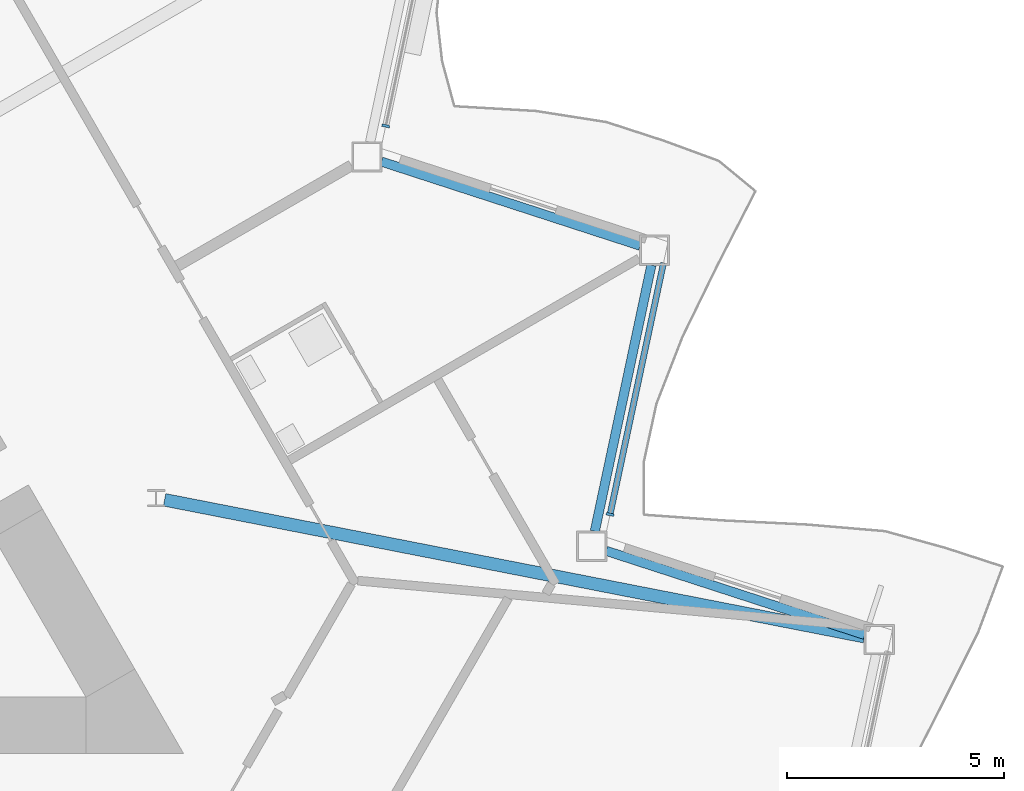
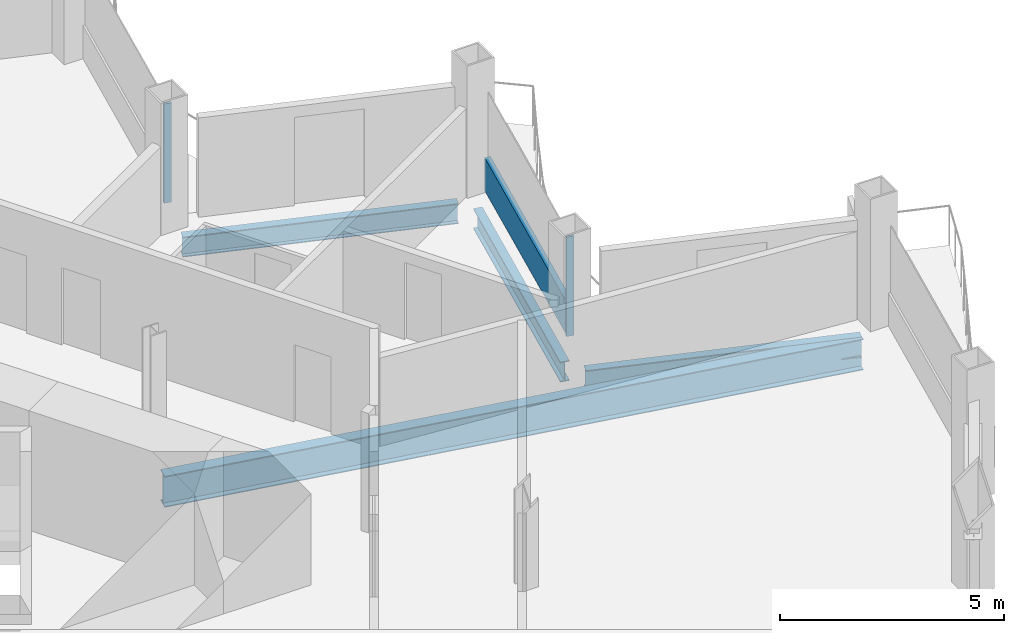
# One storey, part 7 of 23: 4 beams, 3 members, 2 elements without a shape of their own.
"""IFC4 building model written with IfcOpenShell, lengths in metres."""

from ifc_helpers import new_model, si_unit, direction, frame, origin, origin_2d, place, context, subcontext, project, spatial, rectangle, i_section, extrude, material, layer, layer_set, material_profile, profile_set, type_object, element, aggregate, save


model = new_model("IFC4")

# Units and contexts
model_context = context("Model", 3, precision=1e-05, world=origin(), true_north=direction((0.0, 1.0)))
body_context = subcontext(model_context, "Body", "Model", "MODEL_VIEW")
ifc_project = project(units=[si_unit("LENGTHUNIT", "METRE"), si_unit("AREAUNIT", "SQUARE_METRE"), si_unit("VOLUMEUNIT", "CUBIC_METRE"), si_unit("PLANEANGLEUNIT", "RADIAN"), si_unit("MASSUNIT", "GRAM", prefix="KILO")], contexts=[model_context])

# Site, building, storey
site_placement = place(None, origin())
site = spatial("IfcSite", under=ifc_project, at=site_placement, CompositionType="ELEMENT")
building_placement = place(site_placement, origin())
building = spatial("IfcBuilding", under=site, at=building_placement, Name="Cormorant Prow Tower", CompositionType="ELEMENT")
storey_placement = place(building_placement, frame((0.0, 0.0, 259.800048828125)))
storey = spatial("IfcBuildingStorey", under=building, at=storey_placement, Name="L58", CompositionType="ELEMENT", Elevation=259.800048828125)

# Curtain wall, member
ifc_material_1 = material(Name="Aluminium 6063-T6", Category="aluminium")
ifc_layer = layer(ifc_material_1, 0.179931640625)
ifc_layer_set = layer_set([ifc_layer], Name="Aluminium 6063-T6")
curtain_wall_type = type_object("IfcCurtainWallType", Name="Hotel unitised curtain wall 180", PredefinedType="NOTDEFINED", material=ifc_layer_set)
curtain_wall_1_placement = place(storey_placement, origin())
curtain_wall_1 = element("IfcCurtainWall", 1, at=curtain_wall_1_placement, inside=storey, type_object=curtain_wall_type, Name="Hotel curtain wall ENE02", PredefinedType="NOTDEFINED")
ifc_material_2 = material(Name="Aluminium 6063-T6", Category="aluminium")
ifc_material_profile_1 = material_profile(ifc_material_2, rectangle(XDim=0.179931640625, YDim=0.06005859375, at=origin_2d()), Name="Hotel mullion 60x180")
ifc_profile_set_1 = profile_set([ifc_material_profile_1], Name="Aluminium 6063-T6")
member_type_1 = type_object("IfcMemberType", Name="Hotel mullion 60x180", PredefinedType="MULLION", material=ifc_profile_set_1)
member_1_placement = place(storey_placement, frame((24.84814453125, -3.140625, 0.0), z_axis=(0.0, 0.0, 1.0), x_axis=(-0.978147601216, 0.207911688547, 0.0)))
member_1 = element("IfcMember", 2, at=member_1_placement, type_object=member_type_1, Name="Hotel mullion ENE02", PredefinedType="MULLION", context=body_context, shape_type="SweptSolid", body=[
    extrude(rectangle(XDim=0.179931640625, YDim=0.06005859375, at=origin_2d()), origin(), (0.0, 0.0, 1.0), 2.700927734375),
])

curtain_wall_2_placement = place(storey_placement, origin())
curtain_wall_2 = element("IfcCurtainWall", 3, at=curtain_wall_2_placement, inside=storey, type_object=curtain_wall_type, Name="Hotel curtain wall ENE04", PredefinedType="NOTDEFINED")
member_2_placement = place(storey_placement, frame((19.668701171875, 5.83056640625, 0.0), z_axis=(0.0, 0.0, 1.0), x_axis=(-0.978147572038, 0.207911825822, 0.0)))
member_2 = element("IfcMember", 4, at=member_2_placement, type_object=member_type_1, Name="Hotel mullion ENE04", PredefinedType="MULLION", context=body_context, shape_type="SweptSolid", body=[
    extrude(rectangle(XDim=0.179931640625, YDim=0.06005859375, at=origin_2d()), origin(), (0.0, 0.0, 1.0), 2.700927734375),
])
aggregate(curtain_wall_2, [member_2])

# Member
ifc_material_3 = material(Name="Terracotta", Category="masonry")
ifc_material_profile_2 = material_profile(ifc_material_3, rectangle(XDim=0.139892578125, YDim=0.89990234375, at=origin_2d()), Name="Hotel terracotta spandrel rail 140x900")
ifc_profile_set_2 = profile_set([ifc_material_profile_2], Name="Terracotta")
member_type_2 = type_object("IfcMemberType", Name="Hotel terracotta spandrel rail 140x900", PredefinedType="USERDEFINED", material=ifc_profile_set_2)
member_3_placement = place(storey_placement, frame((24.8544921875, -3.111328125, 0.449951171875), z_axis=(0.207903236983, 0.978149397614, 0.0), x_axis=(-0.978149397614, 0.207903236983, 0.0)))
member_3 = element("IfcMember", 5, at=member_3_placement, type_object=member_type_2, Name="Hotel spandrel rail ENE02", ObjectType="TRANSOM", PredefinedType="USERDEFINED", context=body_context, shape_type="SweptSolid", body=[
    extrude(rectangle(XDim=0.139892578125, YDim=0.89990234375, at=origin_2d()), origin(), (0.0, 0.0, 1.0), 5.907958984375),
])

aggregate(curtain_wall_1, [member_1, member_3])

# Beams
ifc_material_4 = material(Name="Structural steel ASTM A992 Gr 50", Category="steel")
ifc_material_profile_3 = material_profile(ifc_material_4, i_section(OverallWidth=0.29296875, OverallDepth=0.845703125, WebThickness=0.015380859375, FlangeThickness=0.0244140625, at=origin_2d()), Name="W33x141")
ifc_profile_set_3 = profile_set([ifc_material_profile_3], Name="Structural steel ASTM A992 Gr 50")
beam_type_1 = type_object("IfcBeamType", Name="Radial floor beam W33x141", PredefinedType="BEAM", material=ifc_profile_set_3)
beam_placement = place(storey_placement, frame((14.5634765625, -2.80322265625, -0.77294921875), z_axis=(0.981419133752, -0.191876220269, 0.0), x_axis=(0.191876220269, 0.981419133752, 0.0)))
element("IfcBeam", 6, at=beam_placement, inside=storey, type_object=beam_type_1, Name="Radial floor beam FB2 10 L58", PredefinedType="BEAM", context=body_context, shape_type="SweptSolid", body=[
    extrude(i_section(OverallWidth=0.29296875, OverallDepth=0.845703125, WebThickness=0.015380859375, FlangeThickness=0.0244140625, at=origin_2d()), origin(), (0.0, 0.0, 1.0), 16.462158203125),
])
ifc_material_5 = material(Name="Structural steel ASTM A992 Gr 50", Category="steel")
ifc_material_profile_4 = material_profile(ifc_material_5, i_section(OverallWidth=0.2138671875, OverallDepth=0.549072265625, WebThickness=0.0146484375, FlangeThickness=0.023681640625, at=origin_2d()), Name="W21x93")
ifc_profile_set_4 = profile_set([ifc_material_profile_4], Name="Structural steel ASTM A992 Gr 50")
beam_type_2 = type_object("IfcBeamType", Name="Spandrel beam W21x93", PredefinedType="SPANDREL", material=ifc_profile_set_4)
for number, where, z_axis, x_axis, name in (
    (7, (30.730224609375, -5.9208984375, -0.62451171875), (-0.951061771288, 0.309000820701, 0.0), (-0.309000820701, -0.951061771288, 0.0), "Spandrel beam SB2 ENE01-ENE02 L58"),
    (8, (24.49609375, -3.529296875, -0.62451171875), (0.207941499013, 0.978141264331, 0.0), (-0.978141264331, 0.207941499013, 0.0), "Spandrel beam SB2 ENE02-ENE03 L58"),
    (9, (25.5419921875, 3.0654296875, -0.62451171875), (-0.951061771288, 0.309000820701, 0.0), (-0.309000820701, -0.951061771288, 0.0), "Spandrel beam SB2 ENE03-ENE04 L58"),
):
    element("IfcBeam", number, at=place(storey_placement, frame(where, z_axis=z_axis, x_axis=x_axis)), inside=storey, type_object=beam_type_2, Name=name, PredefinedType="SPANDREL", context=body_context, shape_type="SweptSolid", body=[
        extrude(i_section(OverallWidth=0.2138671875, OverallDepth=0.549072265625, WebThickness=0.0146484375, FlangeThickness=0.023681640625, at=origin_2d()), origin(), (0.0, 0.0, 1.0), 6.28125),
    ])

save(model, "model.ifc")
